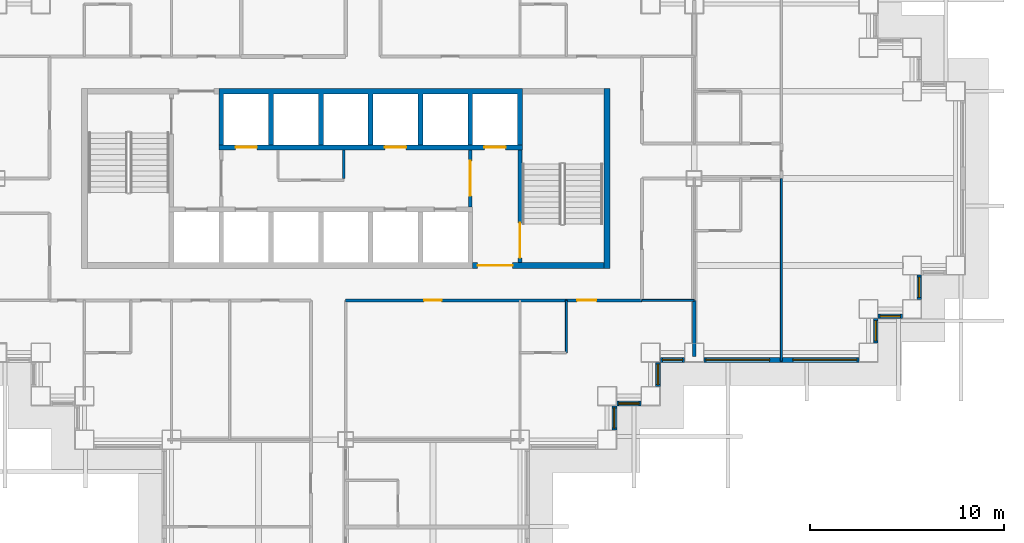
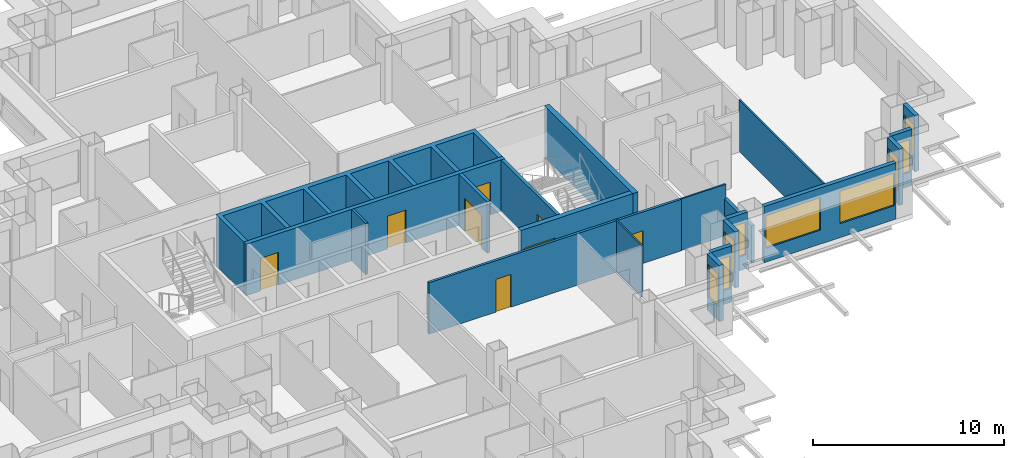
# One storey, part 6 of 15: 20 walls, 9 windows, 8 doors, 17 openings.
"""IFC4 building model written with IfcOpenShell, lengths in metres."""

from ifc_helpers import new_model, si_unit, direction, frame, frame_2d, origin, place, context, subcontext, project, spatial, polyline, rectangle, outline, extrude, material, layer, layer_set, type_object, element, fill, save


model = new_model("IFC4")

# Units and contexts
model_context = context("Model", 3, precision=1e-05, world=origin(), true_north=direction((0.0, 1.0)))
body_context = subcontext(model_context, "Body", "Model", "MODEL_VIEW")
ifc_project = project(units=[si_unit("LENGTHUNIT", "METRE"), si_unit("AREAUNIT", "SQUARE_METRE"), si_unit("VOLUMEUNIT", "CUBIC_METRE"), si_unit("PLANEANGLEUNIT", "RADIAN"), si_unit("MASSUNIT", "GRAM", prefix="KILO")], contexts=[model_context])

# Site, building, storey
site_placement = place(None, origin())
site = spatial("IfcSite", under=ifc_project, at=site_placement, CompositionType="ELEMENT")
building_placement = place(site_placement, origin())
building = spatial("IfcBuilding", under=site, at=building_placement, Name="Caravel Reach Hotel and Residences", CompositionType="ELEMENT")
storey_placement = place(building_placement, frame((0.0, 0.0, 70.800048828125)))
storey = spatial("IfcBuildingStorey", under=building, at=storey_placement, Name="L16", CompositionType="ELEMENT", Elevation=70.800048828125)

# Wall
ifc_material_1 = material(Name="Gypsum board on steel stud", Category="steel")
ifc_layer_1 = layer(ifc_material_1, 0.10009765625)
ifc_layer_set_1 = layer_set([ifc_layer_1], Name="Bathroom pod wall 100 mm")
wall_type_1 = type_object("IfcWallType", Name="Bathroom pod wall 100 mm", PredefinedType="PARTITIONING", material=ifc_layer_set_1)
wall_1_placement = place(storey_placement, frame((42.89990234375, 18.0, 0.0), z_axis=(0.0, 0.0, 1.0), x_axis=(0.0, 1.0, 0.0)))
element("IfcWall", 1, at=wall_1_placement, inside=storey, type_object=wall_type_1, Name="L16 wall w102", PredefinedType="PARTITIONING", context=body_context, shape_type="SweptSolid", body=[
    extrude(rectangle(XDim=2.699951171875, YDim=0.10009765625, at=frame_2d((1.35009765625, 0.0))), origin(), (0.0, 0.0, 1.0), 3.300048828125),
])

# Wall, opening, door
ifc_material_2 = material(Name="Concrete C60", Category="concrete")
ifc_layer_2 = layer(ifc_material_2, 0.300048828125)
ifc_layer_set_2 = layer_set([ifc_layer_2], Name="Core wall 300 mm EI 120")
wall_type_2 = type_object("IfcWallType", Name="Core wall 300 mm EI 120", PredefinedType="SHEAR", material=ifc_layer_set_2)
wall_2_placement = place(storey_placement, frame((38.053466796875, 22.5, 0.0), z_axis=(0.0, 0.0, 1.0), x_axis=(1.0, 0.0, 0.0)))
wall_2 = element("IfcWall", 2, at=wall_2_placement, inside=storey, type_object=wall_type_2, Name="L16 core wall S2", PredefinedType="SHEAR", context=body_context, shape_type="SweptSolid", body=[
    extrude(rectangle(XDim=6.796630859375, YDim=0.300048828125, at=frame_2d((3.3984375, 0.0))), origin(), (0.0, 0.0, 1.0), 3.300048828125),
])
opening_1_placement = place(wall_2_placement, frame((0.2607421875, 0.0, 0.0)))
opening_1 = element("IfcOpeningElement", 3, at=opening_1_placement, cuts=wall_2, Name="Opening D16-014", PredefinedType="OPENING", context=body_context, shape_type="SweptSolid", body=[
    extrude(rectangle(XDim=1.800048828125, YDim=2.10009765625, at=frame_2d((0.89990234375, 1.050048828125))), frame((0.0, 0.159912109375, 0.0), z_axis=(0.0, -1.0, 0.0), x_axis=(1.0, 0.0, 0.0)), (0.0, 0.0, 1.0), 0.320068359375),
])
ifc_material_3 = material(Name="Steel fire door leaf", Category="steel")
door_type_1 = type_object("IfcDoorType", Name="Fire lobby door pair 1800 x 2100 EI 90", OperationType="DOUBLE_DOOR_SINGLE_SWING", PredefinedType="DOOR", material=ifc_material_3)
door_1_placement = place(opening_1_placement, origin())
door_1 = element("IfcDoor", 4, at=door_1_placement, inside=storey, type_object=door_type_1, Name="lobby S door pair to corridor", OperationType="DOUBLE_DOOR_SINGLE_SWING", OverallHeight=2.10009765625, OverallWidth=1.800048828125, PredefinedType="DOOR", context=body_context, shape_type="SweptSolid", body=[
    extrude(rectangle(XDim=1.800048828125, YDim=2.10009765625, at=frame_2d((0.89990234375, 1.050048828125))), frame((0.0, 0.02490234375, 0.0), z_axis=(0.0, -1.0, 0.0), x_axis=(1.0, 0.0, 0.0)), (0.0, 0.0, 1.0), 0.050048828125),
])
fill(opening_1, door_1)

# Wall
wall_3_placement = place(storey_placement, frame((45.0, 22.35009765625, 0.0), z_axis=(0.0, 0.0, 1.0), x_axis=(0.0, 1.0, 0.0)))
element("IfcWall", 5, at=wall_3_placement, inside=storey, type_object=wall_type_2, Name="L16 core wall E", PredefinedType="SHEAR", context=body_context, shape_type="SweptSolid", body=[
    extrude(rectangle(XDim=9.2998046875, YDim=0.300048828125, at=frame_2d((4.64990234375, 0.0))), origin(), (0.0, 0.0, 1.0), 3.300048828125),
])

# Wall, openings, doors
ifc_material_4 = material(Name="Gypsum board on steel stud, fire-rated", Category="steel")
ifc_layer_3 = layer(ifc_material_4, 0.14990234375)
ifc_layer_set_3 = layer_set([ifc_layer_3], Name="Corridor wall 150 mm EI 60")
wall_type_3 = type_object("IfcWallType", Name="Corridor wall 150 mm EI 60", PredefinedType="PARTITIONING", material=ifc_layer_set_3)
wall_4_placement = place(storey_placement, frame((31.5, 20.699951171875, 0.0), z_axis=(0.0, 0.0, 1.0), x_axis=(1.0, 0.0, 0.0)))
wall_4 = element("IfcWall", 6, at=wall_4_placement, inside=storey, type_object=wall_type_3, Name="L16 wall w005", PredefinedType="PARTITIONING", context=body_context, shape_type="SweptSolid", body=[
    extrude(rectangle(XDim=15.300048828125, YDim=0.14990234375, at=frame_2d((7.64990234375, 0.0))), origin(), (0.0, 0.0, 1.0), 3.300048828125),
])
opening_2_placement = place(wall_4_placement, frame((11.949951171875, 0.0, 0.0)))
opening_2 = element("IfcOpeningElement", 7, at=opening_2_placement, cuts=wall_4, Name="Opening D16-049", PredefinedType="OPENING", context=body_context, shape_type="SweptSolid", body=[
    extrude(rectangle(XDim=1.0, YDim=2.10009765625, at=frame_2d((0.5, 1.050048828125))), frame((0.0, 0.0849609375, 0.0), z_axis=(0.0, -1.0, 0.0), x_axis=(1.0, 0.0, 0.0)), (0.0, 0.0, 1.0), 0.169921875),
])
opening_3_placement = place(wall_4_placement, frame((4.050048828125, 0.0, 0.0)))
opening_3 = element("IfcOpeningElement", 8, at=opening_3_placement, cuts=wall_4, Name="Opening D16-056", PredefinedType="OPENING", context=body_context, shape_type="SweptSolid", body=[
    extrude(rectangle(XDim=0.89990234375, YDim=2.10009765625, at=frame_2d((0.449951171875, 1.050048828125))), frame((0.0, 0.0849609375, 0.0), z_axis=(0.0, -1.0, 0.0), x_axis=(1.0, 0.0, 0.0)), (0.0, 0.0, 1.0), 0.169921875),
])
ifc_material_5 = material(Name="Timber and steel door leaf", Category="steel")
door_type_2 = type_object("IfcDoorType", Name="Door 900 x 2100 timber", OperationType="SINGLE_SWING_LEFT", PredefinedType="DOOR", material=ifc_material_5)
door_2_placement = place(opening_3_placement, origin())
door_2 = element("IfcDoor", 9, at=door_2_placement, inside=storey, type_object=door_type_2, Name="door D16-056", OperationType="SINGLE_SWING_LEFT", OverallHeight=2.10009765625, OverallWidth=0.89990234375, PredefinedType="DOOR", context=body_context, shape_type="SweptSolid", body=[
    extrude(rectangle(XDim=0.89990234375, YDim=2.10009765625, at=frame_2d((0.449951171875, 1.050048828125))), frame((0.0, 0.02490234375, 0.0), z_axis=(0.0, -1.0, 0.0), x_axis=(1.0, 0.0, 0.0)), (0.0, 0.0, 1.0), 0.050048828125),
])
fill(opening_3, door_2)
ifc_material_6 = material(Name="Steel fire door leaf", Category="steel")
door_type_3 = type_object("IfcDoorType", Name="Guest room door 1000 x 2100 EI 30", OperationType="SINGLE_SWING_LEFT", PredefinedType="DOOR", material=ifc_material_6)
door_3_placement = place(opening_2_placement, origin())
door_3 = element("IfcDoor", 10, at=door_3_placement, inside=storey, type_object=door_type_3, Name="door D16-049", OperationType="SINGLE_SWING_RIGHT", OverallHeight=2.10009765625, OverallWidth=1.0, PredefinedType="DOOR", context=body_context, shape_type="SweptSolid", body=[
    extrude(rectangle(XDim=1.0, YDim=2.10009765625, at=frame_2d((0.5, 1.050048828125))), frame((0.0, 0.02490234375, 0.0), z_axis=(0.0, -1.0, 0.0), x_axis=(1.0, 0.0, 0.0)), (0.0, 0.0, 1.0), 0.050048828125),
])
fill(opening_2, door_3)

# Wall, opening, window
ifc_material_7 = material(Name="Insulated rainscreen wall, aluminium cladding", Category="aluminium")
ifc_layer_4 = layer(ifc_material_7, 0.25)
ifc_layer_set_4 = layer_set([ifc_layer_4], Name="EW1 Tower rainscreen wall")
wall_type_4 = type_object("IfcWallType", Name="EW1 Tower rainscreen wall", PredefinedType="SOLIDWALL", material=ifc_layer_set_4)
wall_5_placement = place(storey_placement, frame((45.375, 14.0, 0.0), z_axis=(0.0, 0.0, 1.0), x_axis=(0.0, 1.0, 0.0)))
wall_5 = element("IfcWall", 11, at=wall_5_placement, inside=storey, type_object=wall_type_4, Name="External wall L16 E12.1", PredefinedType="SOLIDWALL", context=body_context, shape_type="SweptSolid", body=[
    extrude(rectangle(XDim=1.25, YDim=0.25, at=frame_2d((0.625, 0.0))), origin(), (0.0, 0.0, 1.0), 3.599853515625),
])
opening_4_placement = place(wall_5_placement, frame((0.10009765625, 0.0, 0.89990234375)))
opening_4 = element("IfcOpeningElement", 12, at=opening_4_placement, cuts=wall_5, Name="Opening WN3", PredefinedType="OPENING", context=body_context, shape_type="SweptSolid", body=[
    extrude(rectangle(XDim=1.050048828125, YDim=2.080078125, at=frame_2d((0.52490234375, 1.0400390625))), frame((0.0, 0.135009765625, 0.0), z_axis=(0.0, -1.0, 0.0), x_axis=(1.0, 0.0, 0.0)), (0.0, 0.0, 1.0), 0.27001953125),
])
ifc_material_8 = material(Name="Dark low-e glazing in black aluminium frame", Category="aluminium")
window_type_1 = type_object("IfcWindowType", Name="Hotel suite corner window 1050 x 2080", PartitioningType="SINGLE_PANEL", PredefinedType="WINDOW", material=ifc_material_8)
window_1_placement = place(opening_4_placement, origin())
window_1 = element("IfcWindow", 13, at=window_1_placement, inside=storey, type_object=window_type_1, Name="Window L16 E12.1.1", OverallHeight=2.080078125, OverallWidth=1.050048828125, PartitioningType="SINGLE_PANEL", PredefinedType="WINDOW", context=body_context, shape_type="SweptSolid", body=[
    extrude(rectangle(XDim=1.050048828125, YDim=2.080078125, at=frame_2d((0.52490234375, 1.0400390625))), frame((0.0, 0.030029296875, 0.0), z_axis=(0.0, -1.0, 0.0), x_axis=(1.0, 0.0, 0.0)), (0.0, 0.0, 1.0), 0.06005859375),
])
fill(opening_4, window_1)

wall_6_placement = place(storey_placement, frame((45.5, 15.375, 0.0), z_axis=(0.0, 0.0, 1.0), x_axis=(1.0, 0.0, 0.0)))
wall_6 = element("IfcWall", 14, at=wall_6_placement, inside=storey, type_object=wall_type_4, Name="External wall L16 S13.1", PredefinedType="SOLIDWALL", context=body_context, shape_type="SweptSolid", body=[
    extrude(rectangle(XDim=1.25, YDim=0.25, at=frame_2d((0.625, 0.0))), origin(), (0.0, 0.0, 1.0), 3.599853515625),
])
opening_5_placement = place(wall_6_placement, frame((0.10009765625, 0.0, 0.89990234375)))
opening_5 = element("IfcOpeningElement", 15, at=opening_5_placement, cuts=wall_6, Name="Opening WN3", PredefinedType="OPENING", context=body_context, shape_type="SweptSolid", body=[
    extrude(rectangle(XDim=1.050048828125, YDim=2.080078125, at=frame_2d((0.52490234375, 1.0400390625))), frame((0.0, 0.135009765625, 0.0), z_axis=(0.0, -1.0, 0.0), x_axis=(1.0, 0.0, 0.0)), (0.0, 0.0, 1.0), 0.27001953125),
])
window_2_placement = place(opening_5_placement, origin())
window_2 = element("IfcWindow", 16, at=window_2_placement, inside=storey, type_object=window_type_1, Name="Window L16 S13.1.1", OverallHeight=2.080078125, OverallWidth=1.050048828125, PartitioningType="SINGLE_PANEL", PredefinedType="WINDOW", context=body_context, shape_type="SweptSolid", body=[
    extrude(rectangle(XDim=1.050048828125, YDim=2.080078125, at=frame_2d((0.52490234375, 1.0400390625))), frame((0.0, 0.030029296875, 0.0), z_axis=(0.0, -1.0, 0.0), x_axis=(1.0, 0.0, 0.0)), (0.0, 0.0, 1.0), 0.06005859375),
])
fill(opening_5, window_2)

wall_7_placement = place(storey_placement, frame((47.625, 16.25, 0.0), z_axis=(0.0, 0.0, 1.0), x_axis=(0.0, 1.0, 0.0)))
wall_7 = element("IfcWall", 17, at=wall_7_placement, inside=storey, type_object=wall_type_4, Name="External wall L16 E14.1", PredefinedType="SOLIDWALL", context=body_context, shape_type="SweptSolid", body=[
    extrude(rectangle(XDim=1.25, YDim=0.25, at=frame_2d((0.625, 0.0))), origin(), (0.0, 0.0, 1.0), 3.599853515625),
])
opening_6_placement = place(wall_7_placement, frame((0.10009765625, 0.0, 0.89990234375)))
opening_6 = element("IfcOpeningElement", 18, at=opening_6_placement, cuts=wall_7, Name="Opening WN3", PredefinedType="OPENING", context=body_context, shape_type="SweptSolid", body=[
    extrude(rectangle(XDim=1.050048828125, YDim=2.080078125, at=frame_2d((0.52490234375, 1.0400390625))), frame((0.0, 0.135009765625, 0.0), z_axis=(0.0, -1.0, 0.0), x_axis=(1.0, 0.0, 0.0)), (0.0, 0.0, 1.0), 0.27001953125),
])
window_3_placement = place(opening_6_placement, origin())
window_3 = element("IfcWindow", 19, at=window_3_placement, inside=storey, type_object=window_type_1, Name="Window L16 E14.1.1", OverallHeight=2.080078125, OverallWidth=1.050048828125, PartitioningType="SINGLE_PANEL", PredefinedType="WINDOW", context=body_context, shape_type="SweptSolid", body=[
    extrude(rectangle(XDim=1.050048828125, YDim=2.080078125, at=frame_2d((0.52490234375, 1.0400390625))), frame((0.0, 0.030029296875, 0.0), z_axis=(0.0, -1.0, 0.0), x_axis=(1.0, 0.0, 0.0)), (0.0, 0.0, 1.0), 0.06005859375),
])
fill(opening_6, window_3)

wall_8_placement = place(storey_placement, frame((47.75, 17.625, 0.0), z_axis=(0.0, 0.0, 1.0), x_axis=(1.0, 0.0, 0.0)))
wall_8 = element("IfcWall", 20, at=wall_8_placement, inside=storey, type_object=wall_type_4, Name="External wall L16 S15.1", PredefinedType="SOLIDWALL", context=body_context, shape_type="SweptSolid", body=[
    extrude(rectangle(XDim=1.25, YDim=0.25, at=frame_2d((0.625, 0.0))), origin(), (0.0, 0.0, 1.0), 3.599853515625),
])
opening_7_placement = place(wall_8_placement, frame((0.10009765625, 0.0, 0.89990234375)))
opening_7 = element("IfcOpeningElement", 21, at=opening_7_placement, cuts=wall_8, Name="Opening WN3", PredefinedType="OPENING", context=body_context, shape_type="SweptSolid", body=[
    extrude(rectangle(XDim=1.050048828125, YDim=2.080078125, at=frame_2d((0.52490234375, 1.0400390625))), frame((0.0, 0.135009765625, 0.0), z_axis=(0.0, -1.0, 0.0), x_axis=(1.0, 0.0, 0.0)), (0.0, 0.0, 1.0), 0.27001953125),
])
window_4_placement = place(opening_7_placement, origin())
window_4 = element("IfcWindow", 22, at=window_4_placement, inside=storey, type_object=window_type_1, Name="Window L16 S15.1.1", OverallHeight=2.080078125, OverallWidth=1.050048828125, PartitioningType="SINGLE_PANEL", PredefinedType="WINDOW", context=body_context, shape_type="SweptSolid", body=[
    extrude(rectangle(XDim=1.050048828125, YDim=2.080078125, at=frame_2d((0.52490234375, 1.0400390625))), frame((0.0, 0.030029296875, 0.0), z_axis=(0.0, -1.0, 0.0), x_axis=(1.0, 0.0, 0.0)), (0.0, 0.0, 1.0), 0.06005859375),
])
fill(opening_7, window_4)

# Wall, openings, windows
wall_9_placement = place(storey_placement, frame((50.0, 17.625, 0.0), z_axis=(0.0, 0.0, 1.0), x_axis=(1.0, 0.0, 0.0)))
wall_9 = element("IfcWall", 23, at=wall_9_placement, inside=storey, type_object=wall_type_4, Name="External wall L16 S15.2", PredefinedType="SOLIDWALL", context=body_context, shape_type="SweptSolid", body=[
    extrude(rectangle(XDim=8.0, YDim=0.25, at=frame_2d((4.0, 0.0))), origin(), (0.0, 0.0, 1.0), 3.599853515625),
])
opening_8_placement = place(wall_9_placement, frame((0.10009765625, 0.0, 0.89990234375)))
opening_8 = element("IfcOpeningElement", 24, at=opening_8_placement, cuts=wall_9, Name="Opening WN4", PredefinedType="OPENING", context=body_context, shape_type="SweptSolid", body=[
    extrude(rectangle(XDim=3.300048828125, YDim=2.080078125, at=frame_2d((1.64990234375, 1.0400390625))), frame((0.0, 0.135009765625, 0.0), z_axis=(0.0, -1.0, 0.0), x_axis=(1.0, 0.0, 0.0)), (0.0, 0.0, 1.0), 0.27001953125),
])
opening_9_placement = place(wall_9_placement, frame((4.60009765625, 0.0, 0.89990234375)))
opening_9 = element("IfcOpeningElement", 25, at=opening_9_placement, cuts=wall_9, Name="Opening WN4", PredefinedType="OPENING", context=body_context, shape_type="SweptSolid", body=[
    extrude(rectangle(XDim=3.300048828125, YDim=2.080078125, at=frame_2d((1.64990234375, 1.0400390625))), frame((0.0, 0.135009765625, 0.0), z_axis=(0.0, -1.0, 0.0), x_axis=(1.0, 0.0, 0.0)), (0.0, 0.0, 1.0), 0.27001953125),
])
ifc_material_9 = material(Name="Dark low-e glazing in black aluminium frame", Category="aluminium")
window_type_2 = type_object("IfcWindowType", Name="Hotel guest room window 3300 x 2080", PartitioningType="SINGLE_PANEL", PredefinedType="WINDOW", material=ifc_material_9)
window_5_placement = place(opening_8_placement, origin())
window_5 = element("IfcWindow", 26, at=window_5_placement, inside=storey, type_object=window_type_2, Name="Window L16 S15.2.1", OverallHeight=2.080078125, OverallWidth=3.300048828125, PartitioningType="SINGLE_PANEL", PredefinedType="WINDOW", context=body_context, shape_type="SweptSolid", body=[
    extrude(rectangle(XDim=3.300048828125, YDim=2.080078125, at=frame_2d((1.64990234375, 1.0400390625))), frame((0.0, 0.030029296875, 0.0), z_axis=(0.0, -1.0, 0.0), x_axis=(1.0, 0.0, 0.0)), (0.0, 0.0, 1.0), 0.06005859375),
])
fill(opening_8, window_5)
window_6_placement = place(opening_9_placement, origin())
window_6 = element("IfcWindow", 27, at=window_6_placement, inside=storey, type_object=window_type_2, Name="Window L16 S15.2.2", OverallHeight=2.080078125, OverallWidth=3.300048828125, PartitioningType="SINGLE_PANEL", PredefinedType="WINDOW", context=body_context, shape_type="SweptSolid", body=[
    extrude(rectangle(XDim=3.300048828125, YDim=2.080078125, at=frame_2d((1.64990234375, 1.0400390625))), frame((0.0, 0.030029296875, 0.0), z_axis=(0.0, -1.0, 0.0), x_axis=(1.0, 0.0, 0.0)), (0.0, 0.0, 1.0), 0.06005859375),
])
fill(opening_9, window_6)

# Wall, opening, window
wall_10_placement = place(storey_placement, frame((58.875, 18.5, 0.0), z_axis=(0.0, 0.0, 1.0), x_axis=(0.0, 1.0, 0.0)))
wall_10 = element("IfcWall", 28, at=wall_10_placement, inside=storey, type_object=wall_type_4, Name="External wall L16 E16.1", PredefinedType="SOLIDWALL", context=body_context, shape_type="SweptSolid", body=[
    extrude(rectangle(XDim=1.25, YDim=0.25, at=frame_2d((0.625, 0.0))), origin(), (0.0, 0.0, 1.0), 3.599853515625),
])
opening_10_placement = place(wall_10_placement, frame((0.10009765625, 0.0, 0.89990234375)))
opening_10 = element("IfcOpeningElement", 29, at=opening_10_placement, cuts=wall_10, Name="Opening WN3", PredefinedType="OPENING", context=body_context, shape_type="SweptSolid", body=[
    extrude(rectangle(XDim=1.050048828125, YDim=2.080078125, at=frame_2d((0.52490234375, 1.0400390625))), frame((0.0, 0.135009765625, 0.0), z_axis=(0.0, -1.0, 0.0), x_axis=(1.0, 0.0, 0.0)), (0.0, 0.0, 1.0), 0.27001953125),
])
window_7_placement = place(opening_10_placement, origin())
window_7 = element("IfcWindow", 30, at=window_7_placement, inside=storey, type_object=window_type_1, Name="Window L16 E16.1.1", OverallHeight=2.080078125, OverallWidth=1.050048828125, PartitioningType="SINGLE_PANEL", PredefinedType="WINDOW", context=body_context, shape_type="SweptSolid", body=[
    extrude(rectangle(XDim=1.050048828125, YDim=2.080078125, at=frame_2d((0.52490234375, 1.0400390625))), frame((0.0, 0.030029296875, 0.0), z_axis=(0.0, -1.0, 0.0), x_axis=(1.0, 0.0, 0.0)), (0.0, 0.0, 1.0), 0.06005859375),
])
fill(opening_10, window_7)

wall_11_placement = place(storey_placement, frame((59.0, 19.875, 0.0), z_axis=(0.0, 0.0, 1.0), x_axis=(1.0, 0.0, 0.0)))
wall_11 = element("IfcWall", 31, at=wall_11_placement, inside=storey, type_object=wall_type_4, Name="External wall L16 S17.1", PredefinedType="SOLIDWALL", context=body_context, shape_type="SweptSolid", body=[
    extrude(rectangle(XDim=1.25, YDim=0.25, at=frame_2d((0.625, 0.0))), origin(), (0.0, 0.0, 1.0), 3.599853515625),
])
opening_11_placement = place(wall_11_placement, frame((0.10009765625, 0.0, 0.89990234375)))
opening_11 = element("IfcOpeningElement", 32, at=opening_11_placement, cuts=wall_11, Name="Opening WN3", PredefinedType="OPENING", context=body_context, shape_type="SweptSolid", body=[
    extrude(rectangle(XDim=1.050048828125, YDim=2.080078125, at=frame_2d((0.52490234375, 1.0400390625))), frame((0.0, 0.135009765625, 0.0), z_axis=(0.0, -1.0, 0.0), x_axis=(1.0, 0.0, 0.0)), (0.0, 0.0, 1.0), 0.27001953125),
])
window_8_placement = place(opening_11_placement, origin())
window_8 = element("IfcWindow", 33, at=window_8_placement, inside=storey, type_object=window_type_1, Name="Window L16 S17.1.1", OverallHeight=2.080078125, OverallWidth=1.050048828125, PartitioningType="SINGLE_PANEL", PredefinedType="WINDOW", context=body_context, shape_type="SweptSolid", body=[
    extrude(rectangle(XDim=1.050048828125, YDim=2.080078125, at=frame_2d((0.52490234375, 1.0400390625))), frame((0.0, 0.030029296875, 0.0), z_axis=(0.0, -1.0, 0.0), x_axis=(1.0, 0.0, 0.0)), (0.0, 0.0, 1.0), 0.06005859375),
])
fill(opening_11, window_8)

wall_12_placement = place(storey_placement, frame((61.125, 20.75, 0.0), z_axis=(0.0, 0.0, 1.0), x_axis=(0.0, 1.0, 0.0)))
wall_12 = element("IfcWall", 34, at=wall_12_placement, inside=storey, type_object=wall_type_4, Name="External wall L16 E18.1", PredefinedType="SOLIDWALL", context=body_context, shape_type="SweptSolid", body=[
    extrude(rectangle(XDim=1.25, YDim=0.25, at=frame_2d((0.625, 0.0))), origin(), (0.0, 0.0, 1.0), 3.599853515625),
])
opening_12_placement = place(wall_12_placement, frame((0.10009765625, 0.0, 0.89990234375)))
opening_12 = element("IfcOpeningElement", 35, at=opening_12_placement, cuts=wall_12, Name="Opening WN3", PredefinedType="OPENING", context=body_context, shape_type="SweptSolid", body=[
    extrude(rectangle(XDim=1.050048828125, YDim=2.080078125, at=frame_2d((0.52490234375, 1.0400390625))), frame((0.0, 0.135009765625, 0.0), z_axis=(0.0, -1.0, 0.0), x_axis=(1.0, 0.0, 0.0)), (0.0, 0.0, 1.0), 0.27001953125),
])
window_9_placement = place(opening_12_placement, origin())
window_9 = element("IfcWindow", 36, at=window_9_placement, inside=storey, type_object=window_type_1, Name="Window L16 E18.1.1", OverallHeight=2.080078125, OverallWidth=1.050048828125, PartitioningType="SINGLE_PANEL", PredefinedType="WINDOW", context=body_context, shape_type="SweptSolid", body=[
    extrude(rectangle(XDim=1.050048828125, YDim=2.080078125, at=frame_2d((0.52490234375, 1.0400390625))), frame((0.0, 0.030029296875, 0.0), z_axis=(0.0, -1.0, 0.0), x_axis=(1.0, 0.0, 0.0)), (0.0, 0.0, 1.0), 0.06005859375),
])
fill(opening_12, window_9)

# Wall, opening, door
ifc_material_10 = material(Name="Autoclaved aerated block wall")
ifc_layer_5 = layer(ifc_material_10, 0.199951171875)
ifc_layer_set_5 = layer_set([ifc_layer_5], Name="Fire lobby wall 200 mm EI 120")
wall_type_5 = type_object("IfcWallType", Name="Fire lobby wall 200 mm EI 120", PredefinedType="PARTITIONING", material=ifc_layer_set_5)
wall_13_placement = place(storey_placement, frame((37.928466796875, 25.52490234375, 0.0), z_axis=(0.0, 0.0, 1.0), x_axis=(0.0, 1.0, 0.0)))
wall_13 = element("IfcWall", 37, at=wall_13_placement, inside=storey, type_object=wall_type_5, Name="L16 lobby E wall", PredefinedType="PARTITIONING", context=body_context, shape_type="SweptSolid", body=[
    extrude(rectangle(XDim=2.9501953125, YDim=0.199951171875, at=frame_2d((1.47509765625, 0.0))), origin(), (0.0, 0.0, 1.0), 3.300048828125),
])
opening_13_placement = place(wall_13_placement, frame((0.574951171875, 0.0, 0.0)))
opening_13 = element("IfcOpeningElement", 38, at=opening_13_placement, cuts=wall_13, Name="Opening D16-012", PredefinedType="OPENING", context=body_context, shape_type="SweptSolid", body=[
    extrude(rectangle(XDim=1.800048828125, YDim=2.10009765625, at=frame_2d((0.89990234375, 1.050048828125))), frame((0.0, 0.10986328125, 0.0), z_axis=(0.0, -1.0, 0.0), x_axis=(1.0, 0.0, 0.0)), (0.0, 0.0, 1.0), 0.219970703125),
])
door_4_placement = place(opening_13_placement, origin())
door_4 = element("IfcDoor", 39, at=door_4_placement, inside=storey, type_object=door_type_1, Name="lobby E door pair", OperationType="DOUBLE_DOOR_SINGLE_SWING", OverallHeight=2.10009765625, OverallWidth=1.800048828125, PredefinedType="DOOR", context=body_context, shape_type="SweptSolid", body=[
    extrude(rectangle(XDim=1.800048828125, YDim=2.10009765625, at=frame_2d((0.89990234375, 1.050048828125))), frame((0.0, 0.02490234375, 0.0), z_axis=(0.0, -1.0, 0.0), x_axis=(1.0, 0.0, 0.0)), (0.0, 0.0, 1.0), 0.050048828125),
])
fill(opening_13, door_4)

# Walls
ifc_material_11 = material(Name="Gypsum board on steel stud", Category="steel")
ifc_layer_6 = layer(ifc_material_11, 0.10009765625)
ifc_layer_set_6 = layer_set([ifc_layer_6], Name="Partition 100 mm")
wall_type_6 = type_object("IfcWallType", Name="Partition 100 mm", PredefinedType="PARTITIONING", material=ifc_layer_set_6)
wall_14_placement = place(storey_placement, frame((46.800048828125, 20.699951171875, 0.0), z_axis=(0.0, 0.0, 1.0), x_axis=(1.0, 0.0, 0.0)))
element("IfcWall", 40, at=wall_14_placement, inside=storey, type_object=wall_type_6, Name="L16 wall w041", PredefinedType="PARTITIONING", context=body_context, shape_type="SweptSolid", body=[
    extrude(rectangle(XDim=2.699951171875, YDim=0.10009765625, at=frame_2d((1.35009765625, 0.0))), origin(), (0.0, 0.0, 1.0), 3.300048828125),
])
wall_15_placement = place(storey_placement, frame((54.0, 17.56005859375, 0.0), z_axis=(0.0, 0.0, 1.0), x_axis=(0.0, 1.0, 0.0)))
element("IfcWall", 41, at=wall_15_placement, inside=storey, type_object=wall_type_6, Name="L16 wall w063", PredefinedType="PARTITIONING", context=body_context, shape_type="SweptSolid", body=[
    extrude(rectangle(XDim=9.43994140625, YDim=0.10009765625, at=frame_2d((4.719970703125, 0.0))), origin(), (0.0, 0.0, 1.0), 3.300048828125),
])
ifc_material_12 = material(Name="Autoclaved aerated block wall")
ifc_layer_7 = layer(ifc_material_12, 0.199951171875)
ifc_layer_set_7 = layer_set([ifc_layer_7], Name="Party wall 200 mm EI 60")
wall_type_7 = type_object("IfcWallType", Name="Party wall 200 mm EI 60", PredefinedType="PARTITIONING", material=ifc_layer_set_7)
wall_16_placement = place(storey_placement, frame((49.5, 17.81005859375, 0.0), z_axis=(0.0, 0.0, 1.0), x_axis=(0.0, 1.0, 0.0)))
element("IfcWall", 42, at=wall_16_placement, inside=storey, type_object=wall_type_7, Name="L16 wall w072", PredefinedType="PARTITIONING", context=body_context, shape_type="SweptSolid", body=[
    extrude(rectangle(XDim=2.889892578125, YDim=0.199951171875, at=frame_2d((1.44482421875, 0.0))), origin(), (0.0, 0.0, 1.0), 2.3798828125),
])
ifc_material_13 = material(Name="Autoclaved aerated block wall")
ifc_layer_8 = layer(ifc_material_13, 0.125)
ifc_layer_set_8 = layer_set([ifc_layer_8], Name="Riser wall 125 mm EI 60")
wall_type_8 = type_object("IfcWallType", Name="Riser wall 125 mm EI 60", PredefinedType="PARTITIONING", material=ifc_layer_set_8)
wall_17_placement = place(storey_placement, frame((31.39990234375, 28.47509765625, 0.0), z_axis=(0.0, 0.0, 1.0), x_axis=(0.0, -1.0, 0.0)))
element("IfcWall", 43, at=wall_17_placement, inside=storey, type_object=wall_type_8, Name="L16 service room partition N1", PredefinedType="PARTITIONING", context=body_context, shape_type="SweptSolid", body=[
    extrude(rectangle(XDim=1.47509765625, YDim=0.125, at=frame_2d((0.737548828125, 0.0))), origin(), (0.0, 0.0, 1.0), 3.300048828125),
])
ifc_material_14 = material(Name="Concrete C60", Category="concrete")
ifc_layer_9 = layer(ifc_material_14, 0.25)
ifc_layer_set_9 = layer_set([ifc_layer_9], Name="Shaft wall 250 mm EI 120")
wall_type_9 = type_object("IfcWallType", Name="Shaft wall 250 mm EI 120", PredefinedType="SHEAR", material=ifc_layer_set_9)
wall_18_placement = place(storey_placement, origin())
element("IfcWall", 44, at=wall_18_placement, inside=storey, type_object=wall_type_9, Name="L16 lift shaft wall N1", PredefinedType="SHEAR", context=body_context, shape_type="SweptSolid", body=[
    extrude(outline(polyline([(24.946533203125, 28.72509765625), (25.196533203125, 28.72509765625), (25.196533203125, 31.35009765625), (27.517822265625, 31.35009765625), (27.517822265625, 28.72509765625), (27.767822265625, 28.72509765625), (27.767822265625, 31.35009765625), (30.08935546875, 31.35009765625), (30.08935546875, 28.72509765625), (30.33935546875, 28.72509765625), (30.33935546875, 31.35009765625), (32.66064453125, 31.35009765625), (32.66064453125, 28.72509765625), (32.91064453125, 28.72509765625), (32.91064453125, 31.35009765625), (35.232177734375, 31.35009765625), (35.232177734375, 28.72509765625), (35.482177734375, 28.72509765625), (35.482177734375, 31.35009765625), (37.803466796875, 31.35009765625), (37.803466796875, 28.72509765625), (38.053466796875, 28.72509765625), (38.053466796875, 31.35009765625), (40.375, 31.35009765625), (40.375, 28.72509765625), (40.625, 28.72509765625), (40.625, 31.64990234375), (24.946533203125, 31.64990234375), (24.946533203125, 28.72509765625)])), origin(), (0.0, 0.0, 1.0), 3.300048828125),
])

# Wall, openings, doors
wall_19_placement = place(storey_placement, frame((24.946533203125, 28.60009765625, 0.0), z_axis=(0.0, 0.0, 1.0), x_axis=(1.0, 0.0, 0.0)))
wall_19 = element("IfcWall", 45, at=wall_19_placement, inside=storey, type_object=wall_type_9, Name="L16 lobby wall N1", PredefinedType="SHEAR", context=body_context, shape_type="SweptSolid", body=[
    extrude(rectangle(XDim=15.678466796875, YDim=0.25, at=frame_2d((7.83935546875, 0.0))), origin(), (0.0, 0.0, 1.0), 3.300048828125),
])
opening_14_placement = place(wall_19_placement, frame((0.860595703125, 0.0, 0.0)))
opening_14 = element("IfcOpeningElement", 46, at=opening_14_placement, cuts=wall_19, Name="Opening D16-004", PredefinedType="OPENING", context=body_context, shape_type="SweptSolid", body=[
    extrude(rectangle(XDim=1.10009765625, YDim=2.10009765625, at=frame_2d((0.550048828125, 1.050048828125))), frame((0.0, 0.135009765625, 0.0), z_axis=(0.0, -1.0, 0.0), x_axis=(1.0, 0.0, 0.0)), (0.0, 0.0, 1.0), 0.27001953125),
])
opening_15_placement = place(wall_19_placement, frame((8.574951171875, 0.0, 0.0)))
opening_15 = element("IfcOpeningElement", 47, at=opening_15_placement, cuts=wall_19, Name="Opening D16-005", PredefinedType="OPENING", context=body_context, shape_type="SweptSolid", body=[
    extrude(rectangle(XDim=1.10009765625, YDim=2.10009765625, at=frame_2d((0.550048828125, 1.050048828125))), frame((0.0, 0.135009765625, 0.0), z_axis=(0.0, -1.0, 0.0), x_axis=(1.0, 0.0, 0.0)), (0.0, 0.0, 1.0), 0.27001953125),
])
opening_16_placement = place(wall_19_placement, frame((13.718017578125, 0.0, 0.0)))
opening_16 = element("IfcOpeningElement", 48, at=opening_16_placement, cuts=wall_19, Name="Opening D16-007", PredefinedType="OPENING", context=body_context, shape_type="SweptSolid", body=[
    extrude(rectangle(XDim=1.10009765625, YDim=2.10009765625, at=frame_2d((0.550048828125, 1.050048828125))), frame((0.0, 0.135009765625, 0.0), z_axis=(0.0, -1.0, 0.0), x_axis=(1.0, 0.0, 0.0)), (0.0, 0.0, 1.0), 0.27001953125),
])
ifc_material_15 = material(Name="Stainless steel landing door", Category="steel")
door_type_4 = type_object("IfcDoorType", Name="Landing door LD 1100 x 2100 sliding", OperationType="DOUBLE_DOOR_SLIDING", PredefinedType="DOOR", material=ifc_material_15)
door_5_placement = place(opening_14_placement, origin())
door_5 = element("IfcDoor", 49, at=door_5_placement, inside=storey, type_object=door_type_4, Name="LP4 landing door", OperationType="DOUBLE_DOOR_SLIDING", OverallHeight=2.10009765625, OverallWidth=1.10009765625, PredefinedType="DOOR", context=body_context, shape_type="SweptSolid", body=[
    extrude(rectangle(XDim=1.10009765625, YDim=2.10009765625, at=frame_2d((0.550048828125, 1.050048828125))), frame((0.0, 0.02490234375, 0.0), z_axis=(0.0, -1.0, 0.0), x_axis=(1.0, 0.0, 0.0)), (0.0, 0.0, 1.0), 0.050048828125),
])
fill(opening_14, door_5)
door_6_placement = place(opening_15_placement, origin())
door_6 = element("IfcDoor", 50, at=door_6_placement, inside=storey, type_object=door_type_4, Name="LP5 landing door", OperationType="DOUBLE_DOOR_SLIDING", OverallHeight=2.10009765625, OverallWidth=1.10009765625, PredefinedType="DOOR", context=body_context, shape_type="SweptSolid", body=[
    extrude(rectangle(XDim=1.10009765625, YDim=2.10009765625, at=frame_2d((0.550048828125, 1.050048828125))), frame((0.0, 0.02490234375, 0.0), z_axis=(0.0, -1.0, 0.0), x_axis=(1.0, 0.0, 0.0)), (0.0, 0.0, 1.0), 0.050048828125),
])
fill(opening_15, door_6)
door_7_placement = place(opening_16_placement, origin())
door_7 = element("IfcDoor", 51, at=door_7_placement, inside=storey, type_object=door_type_4, Name="FL2 landing door", OperationType="DOUBLE_DOOR_SLIDING", OverallHeight=2.10009765625, OverallWidth=1.10009765625, PredefinedType="DOOR", context=body_context, shape_type="SweptSolid", body=[
    extrude(rectangle(XDim=1.10009765625, YDim=2.10009765625, at=frame_2d((0.550048828125, 1.050048828125))), frame((0.0, 0.02490234375, 0.0), z_axis=(0.0, -1.0, 0.0), x_axis=(1.0, 0.0, 0.0)), (0.0, 0.0, 1.0), 0.050048828125),
])
fill(opening_16, door_7)

# Wall, opening, door
ifc_material_16 = material(Name="Concrete C60", Category="concrete")
ifc_layer_10 = layer(ifc_material_16, 0.199951171875)
ifc_layer_set_10 = layer_set([ifc_layer_10], Name="Stair enclosure wall 200 mm EI 120")
wall_type_10 = type_object("IfcWallType", Name="Stair enclosure wall 200 mm EI 120", PredefinedType="SHEAR", material=ifc_layer_set_10)
wall_20_placement = place(storey_placement, frame((40.5, 22.64990234375, 0.0), z_axis=(0.0, 0.0, 1.0), x_axis=(0.0, 1.0, 0.0)))
wall_20 = element("IfcWall", 52, at=wall_20_placement, inside=storey, type_object=wall_type_10, Name="L16 stair B wall", PredefinedType="SHEAR", context=body_context, shape_type="SweptSolid", body=[
    extrude(rectangle(XDim=5.8251953125, YDim=0.199951171875, at=frame_2d((2.91259765625, 0.0))), origin(), (0.0, 0.0, 1.0), 3.300048828125),
])
opening_17_placement = place(wall_20_placement, frame((0.25, 0.0, 0.0)))
opening_17 = element("IfcOpeningElement", 53, at=opening_17_placement, cuts=wall_20, Name="Opening D16-010", PredefinedType="OPENING", context=body_context, shape_type="SweptSolid", body=[
    extrude(rectangle(XDim=1.800048828125, YDim=2.10009765625, at=frame_2d((0.89990234375, 1.050048828125))), frame((0.0, 0.10986328125, 0.0), z_axis=(0.0, -1.0, 0.0), x_axis=(1.0, 0.0, 0.0)), (0.0, 0.0, 1.0), 0.219970703125),
])
ifc_material_17 = material(Name="Steel fire door leaf", Category="steel")
door_type_5 = type_object("IfcDoorType", Name="Stair door pair 1800 x 2100 EI 90", OperationType="DOUBLE_DOOR_SINGLE_SWING", PredefinedType="DOOR", material=ifc_material_17)
door_8_placement = place(opening_17_placement, origin())
door_8 = element("IfcDoor", 54, at=door_8_placement, inside=storey, type_object=door_type_5, Name="stair B door pair", OperationType="DOUBLE_DOOR_SINGLE_SWING", OverallHeight=2.10009765625, OverallWidth=1.800048828125, PredefinedType="DOOR", context=body_context, shape_type="SweptSolid", body=[
    extrude(rectangle(XDim=1.800048828125, YDim=2.10009765625, at=frame_2d((0.89990234375, 1.050048828125))), frame((0.0, 0.02490234375, 0.0), z_axis=(0.0, -1.0, 0.0), x_axis=(1.0, 0.0, 0.0)), (0.0, 0.0, 1.0), 0.050048828125),
])
fill(opening_17, door_8)

save(model, "model.ifc")
